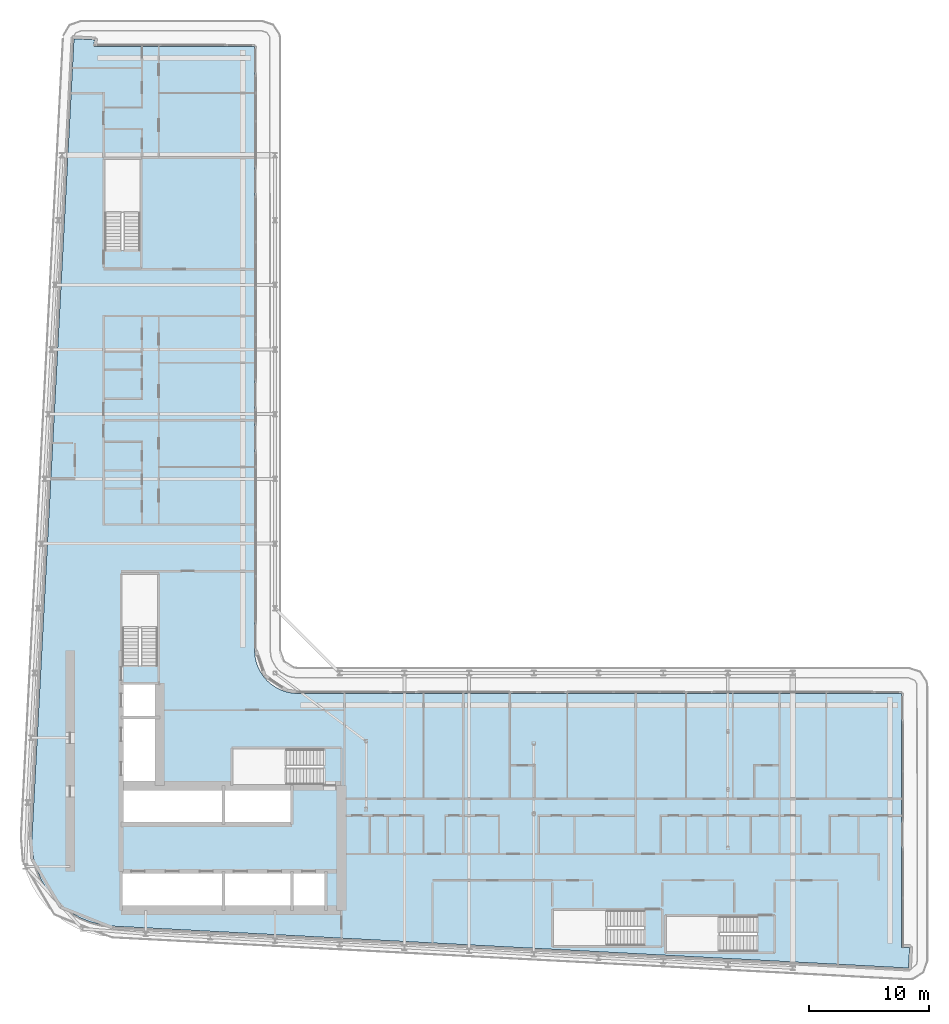
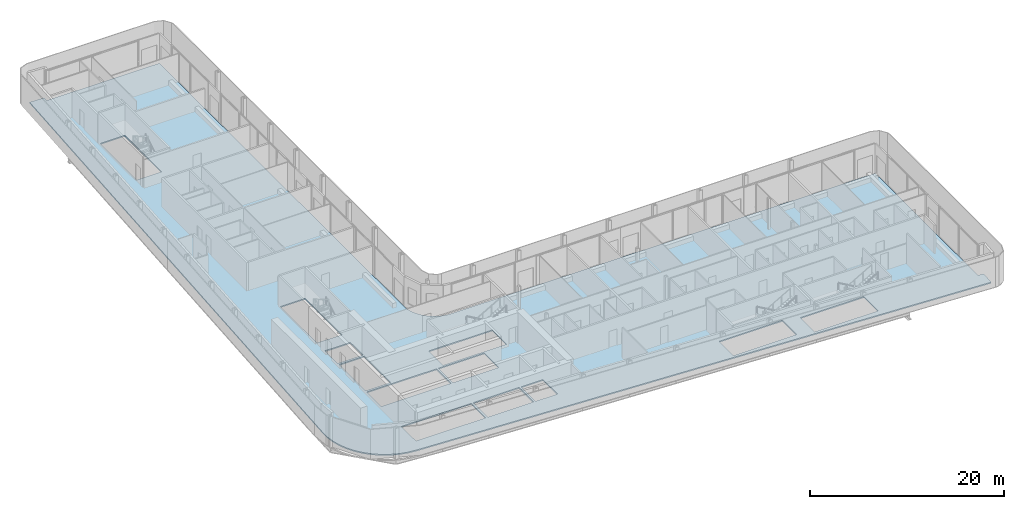
# One storey, part 13 of 29: 1 slab.
"""IFC4 building model written with IfcOpenShell, lengths in metres."""

from ifc_helpers import new_model, si_unit, direction, frame, origin, place, context, subcontext, project, spatial, polyline, outline, extrude, material, layer, layer_set, type_object, element, save


model = new_model("IFC4")

# Units and contexts
model_context = context("Model", 3, precision=1e-05, world=origin(), true_north=direction((0.0, 1.0)))
body_context = subcontext(model_context, "Body", "Model", "MODEL_VIEW")
ifc_project = project(units=[si_unit("LENGTHUNIT", "METRE"), si_unit("AREAUNIT", "SQUARE_METRE"), si_unit("VOLUMEUNIT", "CUBIC_METRE"), si_unit("PLANEANGLEUNIT", "RADIAN"), si_unit("MASSUNIT", "GRAM", prefix="KILO")], contexts=[model_context])

# Site, building, storey
site_placement = place(None, origin())
site = spatial("IfcSite", under=ifc_project, at=site_placement, CompositionType="ELEMENT")
building_placement = place(site_placement, origin())
building = spatial("IfcBuilding", under=site, at=building_placement, Name="Kheshtan School and Residences Tower", CompositionType="ELEMENT")
storey_placement = place(building_placement, frame((0.0, 0.0, 176.0)))
storey = spatial("IfcBuildingStorey", under=building, at=storey_placement, Name="L41", CompositionType="ELEMENT", Elevation=176.0)

# Slab
ifc_material = material(Name="Concrete C40/50", Category="concrete")
ifc_layer = layer(ifc_material, 0.14990234375)
ifc_layer_set = layer_set([ifc_layer], Name="Floor slab 150 Concrete C40/50")
slab_type = type_object("IfcSlabType", Name="Floor slab 150 Concrete C40/50", PredefinedType="FLOOR", material=ifc_layer_set)
slab_placement = place(storey_placement, frame((0.0, 0.0, -0.14990234375)))
element("IfcSlab", 1, at=slab_placement, inside=storey, type_object=slab_type, Name="Floor slab L41", PredefinedType="FLOOR", context=body_context, shape_type="SweptSolid", body=[
    extrude(outline(polyline([(27.718017578125, 29.200927734375), (27.466064453125, 30.093017578125), (27.466064453125, 30.093994140625), (27.3330078125, 31.013916015625), (27.320068359375, 31.965087890625), (27.320068359375, 31.970947265625), (30.822021484375, 98.5009765625), (30.822998046875, 98.508056640625), (30.825927734375, 98.531005859375), (30.825927734375, 98.531982421875), (30.826904296875, 98.531982421875), (31.422119140625, 98.5), (31.423095703125, 98.5), (31.423095703125, 98.4990234375), (31.423095703125, 98.4951171875), (31.423095703125, 98.493896484375), (31.424072265625, 98.493896484375), (31.424072265625, 98.492919921875), (31.425048828125, 98.492919921875), (31.426025390625, 98.492919921875), (31.426025390625, 98.493896484375), (31.427978515625, 98.49609375), (31.428955078125, 98.4970703125), (31.429931640625, 98.498046875), (31.430908203125, 98.498046875), (31.430908203125, 98.4990234375), (31.431884765625, 98.4990234375), (31.431884765625, 98.5), (31.43505859375, 98.5009765625), (31.43603515625, 98.501953125), (31.43896484375, 98.501953125), (31.43994140625, 98.501953125), (31.43994140625, 98.5029296875), (31.44091796875, 98.5029296875), (31.446044921875, 98.5029296875), (32.5009765625, 98.447021484375), (32.50390625, 98.447021484375), (32.5048828125, 98.447021484375), (32.5048828125, 98.446044921875), (32.506103515625, 98.446044921875), (32.510009765625, 98.446044921875), (32.510009765625, 98.445068359375), (32.510986328125, 98.445068359375), (32.510986328125, 98.444091796875), (32.511962890625, 98.444091796875), (32.511962890625, 98.443115234375), (32.512939453125, 98.443115234375), (32.513916015625, 98.443115234375), (32.513916015625, 98.44189453125), (32.514892578125, 98.44189453125), (32.51611328125, 98.44189453125), (32.51904296875, 98.43896484375), (32.51904296875, 98.43798828125), (32.51904296875, 98.43701171875), (32.52001953125, 98.43701171875), (32.52001953125, 98.43603515625), (32.52099609375, 98.43603515625), (32.52099609375, 98.43408203125), (32.52099609375, 98.43310546875), (32.52197265625, 98.43310546875), (32.52197265625, 98.431884765625), (32.52294921875, 98.431884765625), (32.52294921875, 98.430908203125), (32.52294921875, 98.428955078125), (32.52294921875, 98.427978515625), (32.52392578125, 98.427978515625), (32.52392578125, 98.427001953125), (32.52392578125, 98.422119140625), (32.4970703125, 97.9208984375), (32.4970703125, 97.91796875), (32.4970703125, 97.9169921875), (32.49609375, 97.9169921875), (32.49609375, 97.916015625), (32.49609375, 97.912109375), (32.4951171875, 97.910888671875), (32.4951171875, 97.909912109375), (32.493896484375, 97.909912109375), (32.493896484375, 97.908935546875), (32.492919921875, 97.908935546875), (32.492919921875, 97.907958984375), (32.489013671875, 97.904052734375), (32.488037109375, 97.904052734375), (32.488037109375, 97.903076171875), (32.488037109375, 97.902099609375), (32.488037109375, 97.90087890625), (32.489013671875, 97.90087890625), (32.489013671875, 97.89990234375), (32.489990234375, 97.89990234375), (45.85498046875, 97.89990234375), (45.864990234375, 97.89794921875), (45.865966796875, 97.89794921875), (45.868896484375, 97.89599609375), (45.8740234375, 97.89404296875), (45.8779296875, 97.89208984375), (45.881103515625, 97.889892578125), (45.881103515625, 97.888916015625), (45.882080078125, 97.888916015625), (45.882080078125, 97.887939453125), (45.883056640625, 97.887939453125), (45.884033203125, 97.885009765625), (45.885009765625, 97.885009765625), (45.885009765625, 97.884033203125), (45.887939453125, 97.883056640625), (45.887939453125, 97.882080078125), (45.888916015625, 97.882080078125), (45.888916015625, 97.881103515625), (45.889892578125, 97.881103515625), (45.89208984375, 97.8779296875), (45.89404296875, 97.8740234375), (45.89599609375, 97.868896484375), (45.89794921875, 97.865966796875), (45.89794921875, 97.864990234375), (45.89990234375, 97.85498046875), (45.89990234375, 47.429931640625), (45.927001953125, 47.030029296875), (46.01806640625, 46.570068359375), (46.01806640625, 46.569091796875), (46.169921875, 46.1201171875), (46.37890625, 45.697021484375), (46.638916015625, 45.30810546875), (46.949951171875, 44.950927734375), (46.950927734375, 44.949951171875), (47.30810546875, 44.638916015625), (47.697021484375, 44.37890625), (48.1201171875, 44.169921875), (48.569091796875, 44.01806640625), (48.570068359375, 44.01806640625), (49.030029296875, 43.927001953125), (49.429931640625, 43.89990234375), (99.85498046875, 43.89990234375), (99.864990234375, 43.89794921875), (99.865966796875, 43.89794921875), (99.868896484375, 43.89599609375), (99.8740234375, 43.89404296875), (99.8779296875, 43.89208984375), (99.881103515625, 43.889892578125), (99.881103515625, 43.888916015625), (99.882080078125, 43.888916015625), (99.882080078125, 43.887939453125), (99.883056640625, 43.887939453125), (99.884033203125, 43.885009765625), (99.885009765625, 43.885009765625), (99.885009765625, 43.884033203125), (99.887939453125, 43.883056640625), (99.887939453125, 43.882080078125), (99.888916015625, 43.882080078125), (99.888916015625, 43.881103515625), (99.889892578125, 43.881103515625), (99.89208984375, 43.8779296875), (99.89404296875, 43.8740234375), (99.89599609375, 43.868896484375), (99.89794921875, 43.865966796875), (99.89794921875, 43.864990234375), (99.89990234375, 43.85498046875), (99.89990234375, 22.708984375), (99.89990234375, 22.7080078125), (99.90087890625, 22.7080078125), (99.90087890625, 22.70703125), (99.902099609375, 22.70703125), (99.903076171875, 22.70703125), (99.903076171875, 22.7080078125), (99.905029296875, 22.7099609375), (99.906982421875, 22.7119140625), (99.907958984375, 22.7119140625), (99.907958984375, 22.712890625), (99.908935546875, 22.712890625), (99.908935546875, 22.714111328125), (99.909912109375, 22.714111328125), (99.912109375, 22.715087890625), (99.9130859375, 22.716064453125), (99.916015625, 22.716064453125), (99.9169921875, 22.716064453125), (99.9169921875, 22.717041015625), (99.91796875, 22.717041015625), (99.923095703125, 22.717041015625), (100.5380859375, 22.68408203125), (100.541015625, 22.68408203125), (100.5419921875, 22.68408203125), (100.5419921875, 22.68310546875), (100.54296875, 22.68310546875), (100.547119140625, 22.68310546875), (100.547119140625, 22.681884765625), (100.548095703125, 22.681884765625), (100.548095703125, 22.680908203125), (100.549072265625, 22.680908203125), (100.549072265625, 22.679931640625), (100.550048828125, 22.679931640625), (100.551025390625, 22.679931640625), (100.551025390625, 22.678955078125), (100.552001953125, 22.678955078125), (100.552978515625, 22.678955078125), (100.552978515625, 22.677978515625), (100.554931640625, 22.676025390625), (100.555908203125, 22.676025390625), (100.555908203125, 22.675048828125), (100.555908203125, 22.674072265625), (100.556884765625, 22.674072265625), (100.556884765625, 22.673095703125), (100.55810546875, 22.673095703125), (100.55810546875, 22.6708984375), (100.55810546875, 22.669921875), (100.55908203125, 22.669921875), (100.55908203125, 22.6689453125), (100.56005859375, 22.6689453125), (100.56005859375, 22.66796875), (100.56005859375, 22.666015625), (100.56005859375, 22.6650390625), (100.56103515625, 22.6650390625), (100.56103515625, 22.6640625), (100.56103515625, 22.658935546875), (100.5048828125, 21.60205078125), (100.5048828125, 21.59912109375), (100.5048828125, 21.597900390625), (100.50390625, 21.597900390625), (100.50390625, 21.596923828125), (100.50390625, 21.593017578125), (100.5029296875, 21.592041015625), (100.5029296875, 21.591064453125), (100.501953125, 21.591064453125), (100.501953125, 21.590087890625), (100.5009765625, 21.590087890625), (100.5009765625, 21.589111328125), (100.5, 21.587890625), (100.498046875, 21.5859375), (100.4970703125, 21.5849609375), (100.49609375, 21.5849609375), (100.49609375, 21.583984375), (100.49609375, 21.5830078125), (100.49609375, 21.58203125), (100.4970703125, 21.58203125), (100.4970703125, 21.5810546875), (100.498046875, 21.5810546875), (100.4990234375, 21.5810546875), (100.5, 21.5810546875), (100.5, 21.580078125), (100.468017578125, 20.985107421875), (100.468017578125, 20.98388671875), (100.467041015625, 20.98388671875), (100.443115234375, 20.98291015625), (100.43798828125, 20.98291015625), (34.056884765625, 24.47802734375), (33.114990234375, 24.590087890625), (32.215087890625, 24.819091796875), (32.214111328125, 24.819091796875), (31.35205078125, 25.1630859375), (30.541015625, 25.616943359375), (29.799072265625, 26.1708984375), (29.799072265625, 26.172119140625), (29.798095703125, 26.172119140625), (29.134033203125, 26.820068359375), (29.134033203125, 26.821044921875), (29.133056640625, 26.821044921875), (28.55908203125, 27.550048828125), (28.0849609375, 28.345947265625), (27.718017578125, 29.200927734375)]), holes=[polyline([(99.89990234375, 21.5869140625), (99.89990234375, 21.5830078125), (99.89990234375, 21.58203125), (99.90087890625, 21.58203125), (99.90087890625, 21.5810546875), (99.902099609375, 21.5810546875), (99.906005859375, 21.5810546875), (99.906982421875, 21.5810546875), (99.906982421875, 21.58203125), (99.907958984375, 21.58203125), (99.907958984375, 21.5830078125), (99.907958984375, 21.583984375), (99.906982421875, 21.583984375), (99.905029296875, 21.5859375), (99.904052734375, 21.5869140625), (99.903076171875, 21.587890625), (99.903076171875, 21.589111328125), (99.902099609375, 21.589111328125), (99.90087890625, 21.589111328125), (99.90087890625, 21.587890625), (99.89990234375, 21.587890625), (99.89990234375, 21.5869140625)]), polyline([(31.423095703125, 97.906005859375), (31.423095703125, 97.902099609375), (31.423095703125, 97.90087890625), (31.424072265625, 97.90087890625), (31.424072265625, 97.89990234375), (31.425048828125, 97.89990234375), (31.428955078125, 97.89990234375), (31.429931640625, 97.89990234375), (31.429931640625, 97.90087890625), (31.430908203125, 97.90087890625), (31.430908203125, 97.902099609375), (31.430908203125, 97.903076171875), (31.429931640625, 97.903076171875), (31.428955078125, 97.904052734375), (31.427978515625, 97.905029296875), (31.427001953125, 97.906005859375), (31.426025390625, 97.906982421875), (31.426025390625, 97.907958984375), (31.425048828125, 97.907958984375), (31.424072265625, 97.907958984375), (31.424072265625, 97.906982421875), (31.423095703125, 97.906982421875), (31.423095703125, 97.906005859375)]), polyline([(34.875, 28.925048828125), (34.875, 25.925048828125), (43.175048828125, 25.925048828125), (43.175048828125, 28.925048828125), (34.875, 28.925048828125)]), polyline([(43.175048828125, 36.074951171875), (34.875, 36.074951171875), (34.875, 33.074951171875), (43.175048828125, 33.074951171875), (43.175048828125, 36.074951171875)]), polyline([(34.875, 41.77490234375), (34.875, 36.324951171875), (37.875, 36.324951171875), (37.875, 41.77490234375), (34.875, 41.77490234375)]), polyline([(34.875, 42.02490234375), (37.875, 42.02490234375), (37.875, 44.625), (34.875, 44.625), (34.875, 42.02490234375)]), polyline([(37.800048828125, 46.25), (37.800048828125, 53.81005859375), (34.85009765625, 53.81005859375), (34.85009765625, 46.260009765625), (36.25, 46.260009765625), (36.25, 46.25), (37.800048828125, 46.25)]), polyline([(33.39990234375, 88.4599609375), (33.39990234375, 80.909912109375), (34.800048828125, 80.909912109375), (34.800048828125, 80.89990234375), (36.35009765625, 80.89990234375), (36.35009765625, 88.4599609375), (33.39990234375, 88.4599609375)]), polyline([(87.81005859375, 22.35009765625), (87.81005859375, 23.75), (87.820068359375, 23.75), (87.820068359375, 25.300048828125), (80.260009765625, 25.300048828125), (80.260009765625, 22.35009765625), (87.81005859375, 22.35009765625)]), polyline([(70.85009765625, 22.85009765625), (78.39990234375, 22.85009765625), (78.39990234375, 24.25), (78.409912109375, 24.25), (78.409912109375, 25.800048828125), (70.85009765625, 25.800048828125), (70.85009765625, 22.85009765625)]), polyline([(43.425048828125, 25.925048828125), (48.875, 25.925048828125), (48.875, 28.925048828125), (43.425048828125, 28.925048828125), (43.425048828125, 25.925048828125)]), polyline([(49.125, 25.925048828125), (51.72509765625, 25.925048828125), (51.72509765625, 28.925048828125), (49.125, 28.925048828125), (49.125, 25.925048828125)]), polyline([(43.425048828125, 33.074951171875), (48.875, 33.074951171875), (48.875, 36.074951171875), (43.425048828125, 36.074951171875), (43.425048828125, 33.074951171875)]), polyline([(51.64990234375, 39.25), (44.090087890625, 39.25), (44.090087890625, 36.300048828125), (51.639892578125, 36.300048828125), (51.639892578125, 37.699951171875), (51.64990234375, 37.699951171875), (51.64990234375, 39.25)])]), origin(), (0.0, 0.0, 1.0), 0.14990234375),
])

save(model, "model.ifc")
